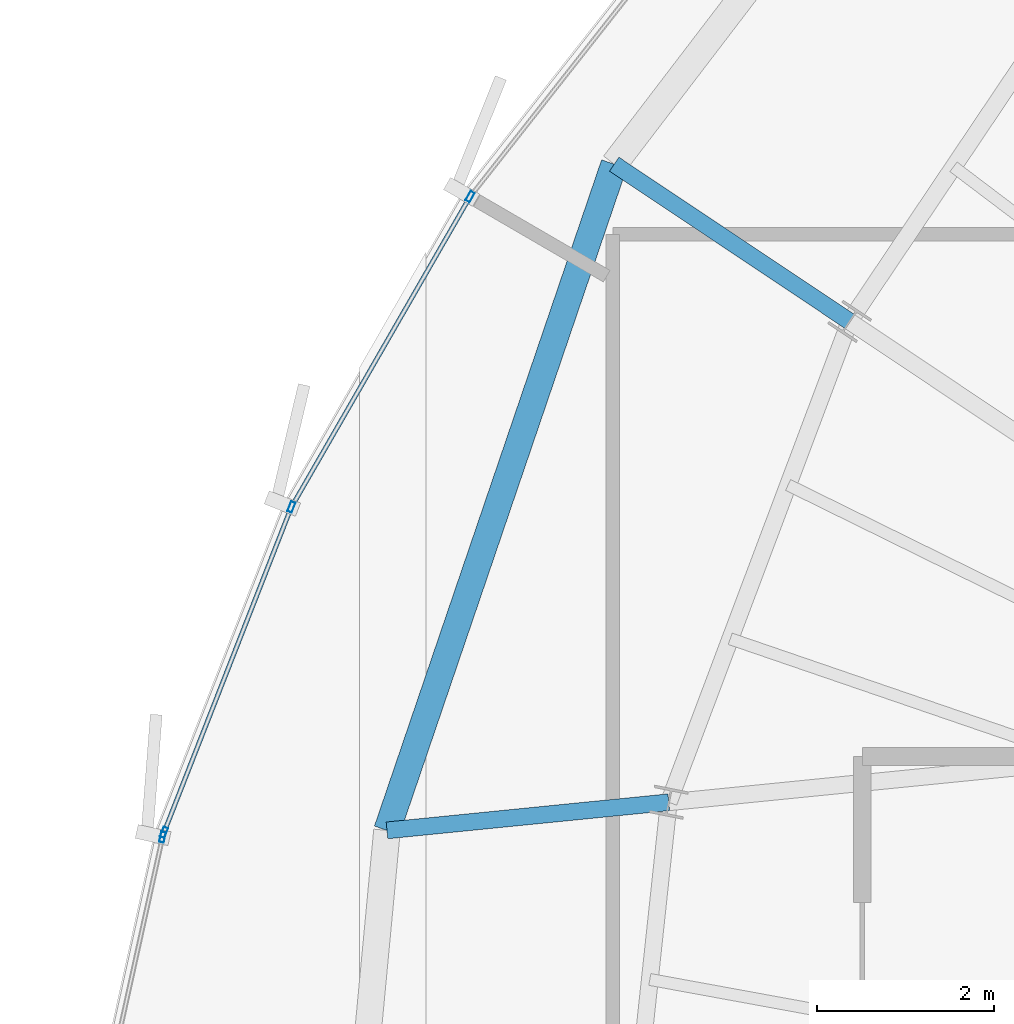
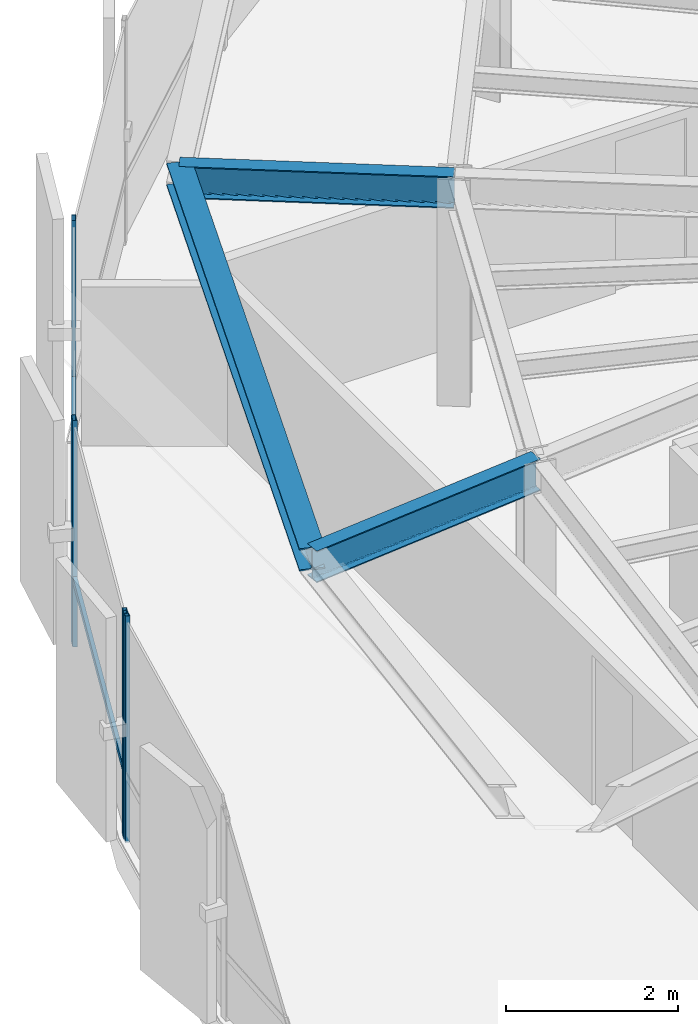
# One storey, part 11 of 36: 6 members, 3 beams, 2 elements without a shape of their own.
"""IFC4 building model written with IfcOpenShell, lengths in metres."""

from ifc_helpers import new_model, si_unit, direction, frame, origin, origin_2d, place, context, subcontext, project, spatial, hollow_rectangle, i_section, extrude, source, transform, mapped, material, layer, layer_set, material_profile, profile_set, type_object, element, aggregate, save


model = new_model("IFC4")

# Units and contexts
model_context = context("Model", 3, precision=1e-05, world=origin(), true_north=direction((0.0, 1.0)))
body_context = subcontext(model_context, "Body", "Model", "MODEL_VIEW")
ifc_project = project(units=[si_unit("LENGTHUNIT", "METRE"), si_unit("AREAUNIT", "SQUARE_METRE"), si_unit("VOLUMEUNIT", "CUBIC_METRE"), si_unit("PLANEANGLEUNIT", "RADIAN"), si_unit("MASSUNIT", "GRAM", prefix="KILO"), si_unit("THERMODYNAMICTEMPERATUREUNIT", "KELVIN")], contexts=[model_context])

# Site, building, storey
site_placement = place(None, origin())
site = spatial("IfcSite", under=ifc_project, at=site_placement, CompositionType="ELEMENT")
building_placement = place(site_placement, origin())
building = spatial("IfcBuilding", under=site, at=building_placement, Name="Kethvar Cultural Tower", CompositionType="ELEMENT")
storey_placement = place(building_placement, frame((0.0, 0.0, 228.39990234375)))
storey = spatial("IfcBuildingStorey", under=building, at=storey_placement, Name="L59", CompositionType="ELEMENT", Elevation=228.39990234375)

# Beams
ifc_material_1 = material(Name="Steel S355J2", Category="steel")
ifc_material_profile_1 = material_profile(ifc_material_1, i_section(OverallWidth=0.18994140625, OverallDepth=0.449951171875, WebThickness=0.009521484375, FlangeThickness=0.0146484375, FilletRadius=0.02099609375, at=origin_2d()), Name="Steel S355J2 — IPE450")
ifc_profile_set_1 = profile_set([ifc_material_profile_1], Name="Steel S355J2 — IPE450")
beam_type_1 = type_object("IfcBeamType", Name="BM-IPE450", PredefinedType="BEAM", material=ifc_profile_set_1)
shared_shape_1 = source(origin(), body_context, "Body", "SweptSolid", [
    extrude(i_section(OverallWidth=0.18994140625, OverallDepth=0.449951171875, WebThickness=0.009521484375, FlangeThickness=0.0146484375, FilletRadius=0.02099609375, at=origin_2d()), origin(), (0.0, 0.0, 1.0), 3.2001953125),
])
beam_1_placement = place(storey_placement, frame((32.3125, 30.681884765625, 2.983154296875), z_axis=(-0.995047004836, -0.099405523829, 0.0), x_axis=(0.099405523829, -0.995047004836, 0.0)))
element("IfcBeam", 1, at=beam_1_placement, inside=storey, type_object=beam_type_1, Name="L59 Perimeter Cantilever Beam RC-08", PredefinedType="BEAM", context=body_context, shape_type="MappedRepresentation", body=[
    mapped(shared_shape_1, transform((0.0, 0.0, 0.0), scale=1.0)),
])
shared_shape_2 = source(origin(), body_context, "Body", "SweptSolid", [
    extrude(i_section(OverallWidth=0.18994140625, OverallDepth=0.449951171875, WebThickness=0.009521484375, FlangeThickness=0.0146484375, FilletRadius=0.02099609375, at=origin_2d()), origin(), (0.0, 0.0, 1.0), 3.19970703125),
])
beam_2_placement = place(storey_placement, frame((34.35595703125, 36.114990234375, 2.983154296875), z_axis=(-0.831498187863, 0.55552746429, 0.0), x_axis=(-0.55552746429, -0.831498187863, 0.0)))
element("IfcBeam", 2, at=beam_2_placement, inside=storey, type_object=beam_type_1, Name="L59 Perimeter Cantilever Beam RC-07", PredefinedType="BEAM", context=body_context, shape_type="MappedRepresentation", body=[
    mapped(shared_shape_2, transform((0.0, 0.0, 0.0), scale=1.0)),
])
ifc_material_profile_2 = material_profile(ifc_material_1, i_section(OverallWidth=0.300048828125, OverallDepth=0.320068359375, WebThickness=0.011474609375, FlangeThickness=0.0205078125, FilletRadius=0.027099609375, at=origin_2d()), Name="Steel S355J2 — HEB320")
ifc_profile_set_2 = profile_set([ifc_material_profile_2], Name="Steel S355J2 — HEB320")
beam_type_2 = type_object("IfcBeamType", Name="BM-SP320", PredefinedType="SPANDREL", material=ifc_profile_set_2)
shared_shape_3 = source(origin(), body_context, "Body", "SweptSolid", [
    extrude(i_section(OverallWidth=0.300048828125, OverallDepth=0.320068359375, WebThickness=0.011474609375, FlangeThickness=0.0205078125, FilletRadius=0.027099609375, at=origin_2d()), origin(), (0.0, 0.0, 1.0), 7.954345703125),
])
beam_3_placement = place(storey_placement, frame((31.6953125, 37.892578125, 3.048095703125), z_axis=(-0.322730170507, -0.946491012659, 0.0), x_axis=(0.946491012659, -0.322730170507, 0.0)))
element("IfcBeam", 3, at=beam_3_placement, inside=storey, type_object=beam_type_2, Name="L59 Perimeter Spandrel Beam SP-07", PredefinedType="SPANDREL", context=body_context, shape_type="MappedRepresentation", body=[
    mapped(shared_shape_3, transform((0.0, 0.0, 0.0), scale=1.0)),
])

# Curtain wall, members
ifc_material_2 = material(Name="Aluminium 6063-T6", Category="aluminium")
ifc_layer = layer(ifc_material_2, 0.179931640625, Name="Aluminium 6063-T6", Category="aluminium")
ifc_layer_set = layer_set([ifc_layer], Name="Aluminium 6063-T6 (180 mm)")
curtain_wall_type = type_object("IfcCurtainWallType", Name="CW-SYS-05-Z56", PredefinedType="NOTDEFINED", material=ifc_layer_set)
curtain_wall_1_placement = place(storey_placement, origin())
curtain_wall_1 = element("IfcCurtainWall", 4, at=curtain_wall_1_placement, inside=storey, type_object=curtain_wall_type, Name="L59 Curtain Wall Run 02", PredefinedType="NOTDEFINED")
ifc_material_profile_3 = material_profile(ifc_material_2, hollow_rectangle(XDim=0.054931640625, YDim=0.1201171875, WallThickness=0.00390625, at=origin_2d()), Name="Aluminium 6063-T6 — RHS120x55x4")
ifc_profile_set_3 = profile_set([ifc_material_profile_3], Name="Aluminium 6063-T6 — RHS120x55x4")
member_type_1 = type_object("IfcMemberType", Name="CW-SYS-05-Z56-MUL", PredefinedType="MULLION", material=ifc_profile_set_3)
shared_shape_4 = source(origin(), body_context, "Body", "SweptSolid", [
    extrude(hollow_rectangle(XDim=0.054931640625, YDim=0.1201171875, WallThickness=0.00390625, at=origin_2d()), origin(), (0.0, 0.0, 1.0), 3.210205078125),
])
member_1_placement = place(storey_placement, frame((30.066650390625, 37.5244140625, 0.0), z_axis=(0.0, 0.0, 1.0), x_axis=(0.866792326895, -0.49866929125, 0.0)))
member_1 = element("IfcMember", 5, at=member_1_placement, type_object=member_type_1, Name="CW-L59-R02 Mullion 5", PredefinedType="MULLION", context=body_context, shape_type="MappedRepresentation", body=[
    mapped(shared_shape_4, transform((0.0, 0.0, 0.0), scale=1.0)),
])
member_2_placement = place(storey_placement, frame((28.0478515625, 34.017578125, 0.0), z_axis=(0.0, 0.0, 1.0), x_axis=(0.931189487649, -0.364535510058, 0.0)))
member_2 = element("IfcMember", 6, at=member_2_placement, type_object=member_type_1, Name="CW-L59-R02 Mullion 6", PredefinedType="MULLION", context=body_context, shape_type="MappedRepresentation", body=[
    mapped(shared_shape_4, transform((0.0, 0.0, 0.0), scale=1.0)),
])
member_3_placement = place(storey_placement, frame((26.608642578125, 30.3408203125, 0.0), z_axis=(0.0, 0.0, 1.0), x_axis=(0.931189487649, -0.364535510058, 0.0)))
member_3 = element("IfcMember", 7, at=member_3_placement, type_object=member_type_1, Name="CW-L59-R02 Mullion 7", PredefinedType="MULLION", context=body_context, shape_type="MappedRepresentation", body=[
    mapped(shared_shape_4, transform((0.0, 0.0, 0.0), scale=1.0)),
])

# Curtain wall, member
curtain_wall_2_placement = place(storey_placement, origin())
curtain_wall_2 = element("IfcCurtainWall", 8, at=curtain_wall_2_placement, inside=storey, type_object=curtain_wall_type, Name="L59 Curtain Wall Run 03", PredefinedType="NOTDEFINED")
member_4_placement = place(storey_placement, frame((26.59228515625, 30.28759765625, 0.0), z_axis=(0.0, 0.0, 1.0), x_axis=(0.976507085466, -0.215485294241, 0.0)))
member_4 = element("IfcMember", 9, at=member_4_placement, type_object=member_type_1, Name="CW-L59-R03 Mullion 1", PredefinedType="MULLION", context=body_context, shape_type="MappedRepresentation", body=[
    mapped(shared_shape_4, transform((0.0, 0.0, 0.0), scale=1.0)),
])
aggregate(curtain_wall_2, [member_4])

# Member
ifc_material_profile_4 = material_profile(ifc_material_2, hollow_rectangle(XDim=0.050048828125, YDim=0.10009765625, WallThickness=0.00390625, at=origin_2d()), Name="Aluminium 6063-T6 — RHS100x50x4")
ifc_profile_set_4 = profile_set([ifc_material_profile_4], Name="Aluminium 6063-T6 — RHS100x50x4")
member_type_2 = type_object("IfcMemberType", Name="CW-SYS-05-Z56-TRN", PredefinedType="USERDEFINED", material=ifc_profile_set_4)
shared_shape_5 = source(origin(), body_context, "Body", "SweptSolid", [
    extrude(hollow_rectangle(XDim=0.050048828125, YDim=0.10009765625, WallThickness=0.00390625, at=origin_2d()), origin(), (0.0, 0.0, 1.0), 3.98193359375),
])
member_5_placement = place(storey_placement, frame((30.046875, 37.489990234375, 0.9501953125), z_axis=(-0.498665795501, -0.866794338005, 0.0), x_axis=(0.866794338005, -0.498665795501, 0.0)))
member_5 = element("IfcMember", 10, at=member_5_placement, type_object=member_type_2, Name="CW-L59-R02 Transom 5", ObjectType="TRANSOM", PredefinedType="USERDEFINED", context=body_context, shape_type="MappedRepresentation", body=[
    mapped(shared_shape_5, transform((0.0, 0.0, 0.0), scale=1.0)),
])

shared_shape_6 = source(origin(), body_context, "Body", "SweptSolid", [
    extrude(hollow_rectangle(XDim=0.050048828125, YDim=0.10009765625, WallThickness=0.00390625, at=origin_2d()), origin(), (0.0, 0.0, 1.0), 3.90478515625),
])
member_6_placement = place(storey_placement, frame((28.033447265625, 33.980712890625, 0.9501953125), z_axis=(-0.364503071289, -0.931202185898, 0.0), x_axis=(0.931202185898, -0.364503071289, 0.0)))
member_6 = element("IfcMember", 11, at=member_6_placement, type_object=member_type_2, Name="CW-L59-R02 Transom 6", ObjectType="TRANSOM", PredefinedType="USERDEFINED", context=body_context, shape_type="MappedRepresentation", body=[
    mapped(shared_shape_6, transform((0.0, 0.0, 0.0), scale=1.0)),
])

aggregate(curtain_wall_1, [member_1, member_2, member_3, member_5, member_6])

save(model, "model.ifc")
